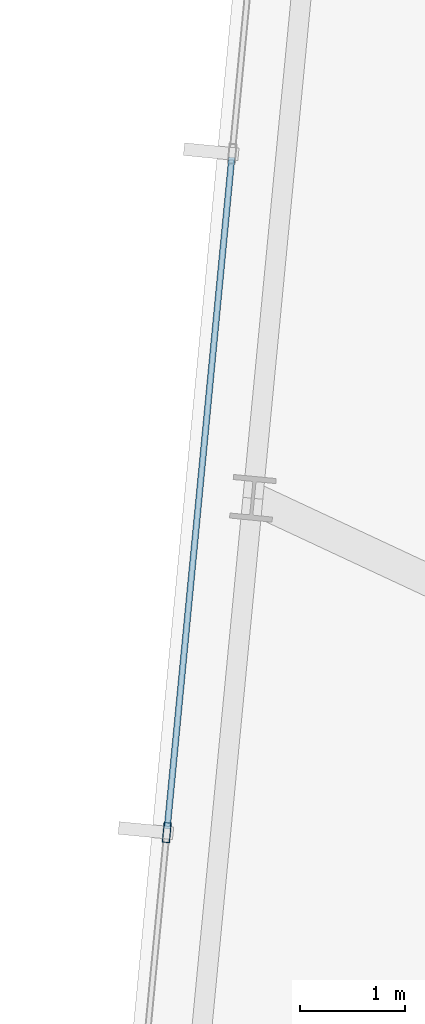
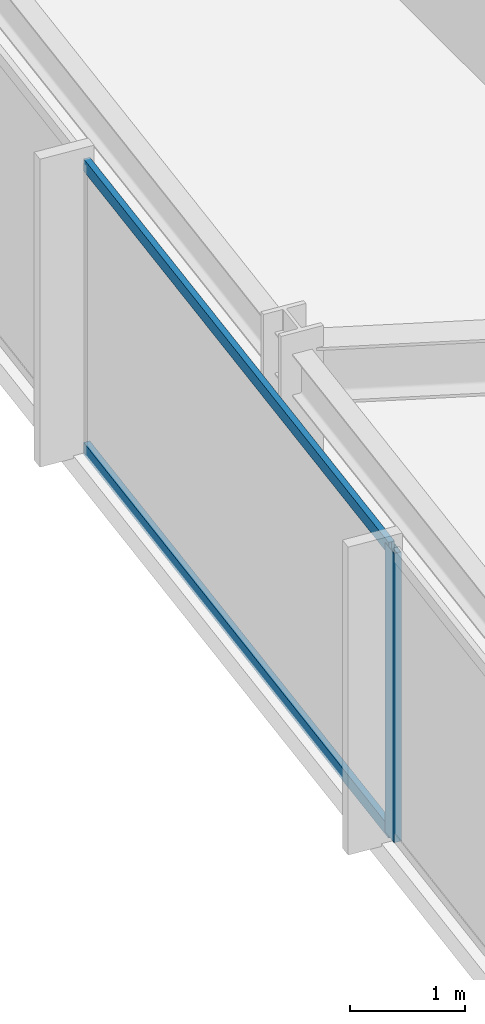
# One storey, part 8 of 37: 3 members, 1 element without a shape of its own.
"""IFC4 building model written with IfcOpenShell, lengths in metres."""

from ifc_helpers import new_model, si_unit, direction, frame, origin, origin_2d, place, context, subcontext, project, spatial, hollow_rectangle, extrude, material, material_profile, profile_set, type_object, element, aggregate, save


model = new_model("IFC4")

# Units and contexts
model_context = context("Model", 3, precision=1e-05, world=origin(), true_north=direction((0.0, 1.0)))
body_context = subcontext(model_context, "Body", "Model", "MODEL_VIEW")
ifc_project = project(units=[si_unit("LENGTHUNIT", "METRE"), si_unit("AREAUNIT", "SQUARE_METRE"), si_unit("VOLUMEUNIT", "CUBIC_METRE"), si_unit("PLANEANGLEUNIT", "RADIAN"), si_unit("MASSUNIT", "GRAM", prefix="KILO")], contexts=[model_context])

# Site, building, storey
site_placement = place(None, origin())
site = spatial("IfcSite", under=ifc_project, at=site_placement, CompositionType="ELEMENT")
building_placement = place(site_placement, origin())
building = spatial("IfcBuilding", under=site, at=building_placement, Name="Yelkora Congress Tower", CompositionType="ELEMENT")
storey_placement = place(building_placement, frame((0.0, 0.0, 175.39990234375)))
storey = spatial("IfcBuildingStorey", under=building, at=storey_placement, Name="L48", CompositionType="ELEMENT", Elevation=175.39990234375)

# Curtain wall, members
ifc_material_1 = material(Name="Anodised aluminium and insulated glass", Category="aluminium")
curtain_wall_type = type_object("IfcCurtainWallType", Name="CW-SYS-B3", PredefinedType="NOTDEFINED", material=ifc_material_1)
curtain_wall_placement = place(storey_placement, origin())
curtain_wall = element("IfcCurtainWall", 1, at=curtain_wall_placement, inside=storey, type_object=curtain_wall_type, Name="L48 Unitised Curtain Wall 5", PredefinedType="NOTDEFINED")
ifc_material_2 = material(Name="Anodised aluminium 6063-T6", Category="aluminium")
ifc_material_profile_1 = material_profile(ifc_material_2, hollow_rectangle(XDim=0.070068359375, YDim=0.18994140625, WallThickness=0.00390625, at=origin_2d()), Name="ALU 70x190x4")
ifc_profile_set_1 = profile_set([ifc_material_profile_1], Name="Anodised aluminium 6063-T6")
member_type_1 = type_object("IfcMemberType", Name="MEM-ML-B3", PredefinedType="MULLION", material=ifc_profile_set_1)
member_1_placement = place(storey_placement, frame((2.546142578125, 29.416259765625, 0.0), z_axis=(0.0, 0.0, 1.0), x_axis=(-0.995396242473, 0.095845294465, 0.0)))
member_1 = element("IfcMember", 2, at=member_1_placement, type_object=member_type_1, Name="CW-B3 mullion 3", PredefinedType="MULLION", context=body_context, shape_type="SweptSolid", body=[
    extrude(hollow_rectangle(XDim=0.070068359375, YDim=0.18994140625, WallThickness=0.00390625, at=origin_2d()), origin(), (0.0, 0.0, 1.0), 3.080078125),
])
ifc_material_profile_2 = material_profile(ifc_material_2, hollow_rectangle(XDim=0.06005859375, YDim=0.1298828125, WallThickness=0.00390625, at=origin_2d()), Name="ALU 60x130x4")
ifc_profile_set_2 = profile_set([ifc_material_profile_2], Name="Anodised aluminium 6063-T6")
member_type_2 = type_object("IfcMemberType", Name="MEM-TR-B3", PredefinedType="USERDEFINED", material=ifc_profile_set_2)
member_2_placement = place(storey_placement, frame((2.549560546875, 29.450927734375, 0.030029296875), z_axis=(0.095843682057, 0.995396397728, 0.0), x_axis=(-0.995396397728, 0.095843682057, 0.0)))
member_2 = element("IfcMember", 3, at=member_2_placement, type_object=member_type_2, Name="CW-B3 transom 3.1", ObjectType="TRANSOM", PredefinedType="USERDEFINED", context=body_context, shape_type="SweptSolid", body=[
    extrude(hollow_rectangle(XDim=0.06005859375, YDim=0.1298828125, WallThickness=0.00390625, at=origin_2d()), origin(), (0.0, 0.0, 1.0), 6.4140625),
])
member_3_placement = place(storey_placement, frame((2.549560546875, 29.450927734375, 3.050048828125), z_axis=(0.095843682057, 0.995396397728, 0.0), x_axis=(-0.995396397728, 0.095843682057, 0.0)))
member_3 = element("IfcMember", 4, at=member_3_placement, type_object=member_type_2, Name="CW-B3 transom 3.2", ObjectType="TRANSOM", PredefinedType="USERDEFINED", context=body_context, shape_type="SweptSolid", body=[
    extrude(hollow_rectangle(XDim=0.06005859375, YDim=0.1298828125, WallThickness=0.00390625, at=origin_2d()), origin(), (0.0, 0.0, 1.0), 6.4140625),
])
aggregate(curtain_wall, [member_1, member_2, member_3])

save(model, "model.ifc")
